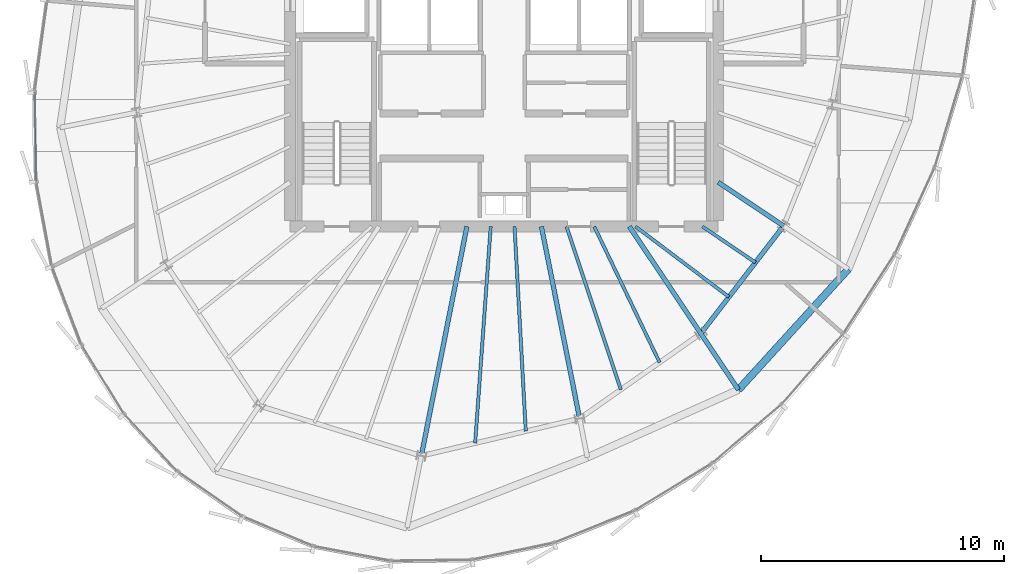
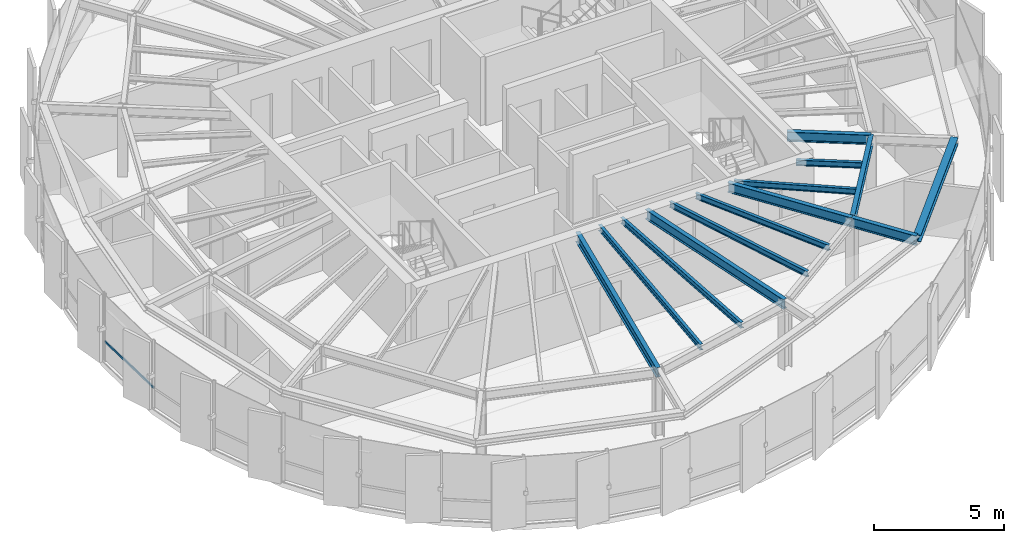
# One storey, part 9 of 32: 13 beams, 1 member, 1 element without a shape of its own.
"""IFC4 building model written with IfcOpenShell, lengths in metres."""

from ifc_helpers import new_model, si_unit, direction, frame, origin, origin_2d, place, context, subcontext, project, spatial, hollow_rectangle, i_section, extrude, source, transform, mapped, material, layer, layer_set, material_profile, profile_set, type_object, element, aggregate, save


model = new_model("IFC4")

# Units and contexts
model_context = context("Model", 3, precision=1e-05, world=origin(), true_north=direction((0.0, 1.0)))
body_context = subcontext(model_context, "Body", "Model", "MODEL_VIEW")
ifc_project = project(units=[si_unit("LENGTHUNIT", "METRE"), si_unit("AREAUNIT", "SQUARE_METRE"), si_unit("VOLUMEUNIT", "CUBIC_METRE"), si_unit("PLANEANGLEUNIT", "RADIAN"), si_unit("MASSUNIT", "GRAM", prefix="KILO"), si_unit("THERMODYNAMICTEMPERATUREUNIT", "KELVIN")], contexts=[model_context])

# Site, building, storey
site_placement = place(None, origin())
site = spatial("IfcSite", under=ifc_project, at=site_placement, CompositionType="ELEMENT")
building_placement = place(site_placement, origin())
building = spatial("IfcBuilding", under=site, at=building_placement, Name="Kethvar Cultural Tower", CompositionType="ELEMENT")
storey_placement = place(building_placement, frame((0.0, 0.0, 280.14990234375)))
storey = spatial("IfcBuildingStorey", under=building, at=storey_placement, Name="L74", CompositionType="ELEMENT", Elevation=280.14990234375)

# Beams
ifc_material_1 = material(Name="Steel S355J2", Category="steel")
ifc_material_profile_1 = material_profile(ifc_material_1, i_section(OverallWidth=0.18994140625, OverallDepth=0.449951171875, WebThickness=0.009521484375, FlangeThickness=0.0146484375, FilletRadius=0.02099609375, at=origin_2d()), Name="Steel S355J2 — IPE450")
ifc_profile_set_1 = profile_set([ifc_material_profile_1], Name="Steel S355J2 — IPE450")
beam_type_1 = type_object("IfcBeamType", Name="BM-IPE450", PredefinedType="BEAM", material=ifc_profile_set_1)
shared_shape_1 = source(origin(), body_context, "Body", "SweptSolid", [
    extrude(i_section(OverallWidth=0.18994140625, OverallDepth=0.449951171875, WebThickness=0.009521484375, FlangeThickness=0.0146484375, FilletRadius=0.02099609375, at=origin_2d()), origin(), (0.0, 0.0, 1.0), 9.613525390625),
])
beam_1_placement = place(storey_placement, frame((45.268310546875, 20.10009765625, 2.983154296875), z_axis=(-0.195090428816, -0.980785259159, 0.0), x_axis=(0.980785259159, -0.195090428816, 0.0)))
element("IfcBeam", 1, at=beam_1_placement, inside=storey, type_object=beam_type_1, Name="L74 Primary Radial Beam RB-12", PredefinedType="BEAM", context=body_context, shape_type="MappedRepresentation", body=[
    mapped(shared_shape_1, transform((0.0, 0.0, 0.0), scale=1.0)),
])
shared_shape_2 = source(origin(), body_context, "Body", "SweptSolid", [
    extrude(i_section(OverallWidth=0.18994140625, OverallDepth=0.449951171875, WebThickness=0.009521484375, FlangeThickness=0.0146484375, FilletRadius=0.02099609375, at=origin_2d()), origin(), (0.0, 0.0, 1.0), 8.0478515625),
])
beam_2_placement = place(storey_placement, frame((48.33154296875, 20.10009765625, 2.983154296875), z_axis=(0.195089278796, -0.980785487912, 0.0), x_axis=(0.980785487912, 0.195089278796, 0.0)))
element("IfcBeam", 2, at=beam_2_placement, inside=storey, type_object=beam_type_1, Name="L74 Primary Radial Beam RB-13", PredefinedType="BEAM", context=body_context, shape_type="MappedRepresentation", body=[
    mapped(shared_shape_2, transform((0.0, 0.0, 0.0), scale=1.0)),
])
shared_shape_3 = source(origin(), body_context, "Body", "SweptSolid", [
    extrude(i_section(OverallWidth=0.18994140625, OverallDepth=0.449951171875, WebThickness=0.009521484375, FlangeThickness=0.0146484375, FilletRadius=0.02099609375, at=origin_2d()), origin(), (0.0, 0.0, 1.0), 5.291748046875),
])
beam_3_placement = place(storey_placement, frame((51.945068359375, 20.10009765625, 2.983154296875), z_axis=(0.555572931011, -0.831467809556, 0.0), x_axis=(0.831467809556, 0.555572931011, 0.0)))
element("IfcBeam", 3, at=beam_3_placement, inside=storey, type_object=beam_type_1, Name="L74 Primary Radial Beam RB-14", PredefinedType="BEAM", context=body_context, shape_type="MappedRepresentation", body=[
    mapped(shared_shape_3, transform((0.0, 0.0, 0.0), scale=1.0)),
])
shared_shape_4 = source(origin(), body_context, "Body", "SweptSolid", [
    extrude(i_section(OverallWidth=0.18994140625, OverallDepth=0.449951171875, WebThickness=0.009521484375, FlangeThickness=0.0146484375, FilletRadius=0.02099609375, at=origin_2d()), origin(), (0.0, 0.0, 1.0), 3.231689453125),
])
beam_4_placement = place(storey_placement, frame((55.60009765625, 21.919921875, 2.983154296875), z_axis=(0.831468708055, -0.55557158632, 0.0), x_axis=(0.55557158632, 0.831468708055, 0.0)))
element("IfcBeam", 4, at=beam_4_placement, inside=storey, type_object=beam_type_1, Name="L74 Primary Radial Beam RB-15", PredefinedType="BEAM", context=body_context, shape_type="MappedRepresentation", body=[
    mapped(shared_shape_4, transform((0.0, 0.0, 0.0), scale=1.0)),
])
ifc_material_profile_2 = material_profile(ifc_material_1, i_section(OverallWidth=0.135009765625, OverallDepth=0.27001953125, WebThickness=0.006591796875, FlangeThickness=0.01025390625, FilletRadius=0.014892578125, at=origin_2d()), Name="Steel S355J2 — IPE270")
ifc_profile_set_2 = profile_set([ifc_material_profile_2], Name="Steel S355J2 — IPE270")
beam_type_2 = type_object("IfcBeamType", Name="BM-J270", PredefinedType="JOIST", material=ifc_profile_set_2)
shared_shape_5 = source(origin(), body_context, "Body", "SweptSolid", [
    extrude(i_section(OverallWidth=0.135009765625, OverallDepth=0.27001953125, WebThickness=0.006591796875, FlangeThickness=0.01025390625, FilletRadius=0.014892578125, at=origin_2d()), origin(), (0.0, 0.0, 1.0), 8.9296875),
])
beam_5_placement = place(storey_placement, frame((46.246337890625, 20.10009765625, 3.072998046875), z_axis=(-0.071713352262, -0.99742528297, 0.0), x_axis=(0.99742528297, -0.071713352262, 0.0)))
element("IfcBeam", 5, at=beam_5_placement, inside=storey, type_object=beam_type_2, Name="L74 Composite Floor Joist J-12A", PredefinedType="JOIST", context=body_context, shape_type="MappedRepresentation", body=[
    mapped(shared_shape_5, transform((0.0, 0.0, 0.0), scale=1.0)),
])
shared_shape_6 = source(origin(), body_context, "Body", "SweptSolid", [
    extrude(i_section(OverallWidth=0.135009765625, OverallDepth=0.27001953125, WebThickness=0.006591796875, FlangeThickness=0.01025390625, FilletRadius=0.014892578125, at=origin_2d()), origin(), (0.0, 0.0, 1.0), 8.427978515625),
])
beam_6_placement = place(storey_placement, frame((47.224609375, 20.10009765625, 3.072998046875), z_axis=(0.055067321535, -0.998482643865, 0.0), x_axis=(0.998482643865, 0.055067321535, 0.0)))
element("IfcBeam", 6, at=beam_6_placement, inside=storey, type_object=beam_type_2, Name="L74 Composite Floor Joist J-12B", PredefinedType="JOIST", context=body_context, shape_type="MappedRepresentation", body=[
    mapped(shared_shape_6, transform((0.0, 0.0, 0.0), scale=1.0)),
])
shared_shape_7 = source(origin(), body_context, "Body", "SweptSolid", [
    extrude(i_section(OverallWidth=0.135009765625, OverallDepth=0.27001953125, WebThickness=0.006591796875, FlangeThickness=0.01025390625, FilletRadius=0.014892578125, at=origin_2d()), origin(), (0.0, 0.0, 1.0), 7.0673828125),
])
beam_7_placement = place(storey_placement, frame((49.363525390625, 20.10009765625, 3.072998046875), z_axis=(0.315875389768, -0.948800684095, 0.0), x_axis=(0.948800684095, 0.315875389768, 0.0)))
element("IfcBeam", 7, at=beam_7_placement, inside=storey, type_object=beam_type_2, Name="L74 Composite Floor Joist J-13A", PredefinedType="JOIST", context=body_context, shape_type="MappedRepresentation", body=[
    mapped(shared_shape_7, transform((0.0, 0.0, 0.0), scale=1.0)),
])
shared_shape_8 = source(origin(), body_context, "Body", "SweptSolid", [
    extrude(i_section(OverallWidth=0.135009765625, OverallDepth=0.27001953125, WebThickness=0.006591796875, FlangeThickness=0.01025390625, FilletRadius=0.014892578125, at=origin_2d()), origin(), (0.0, 0.0, 1.0), 6.2001953125),
])
beam_8_placement = place(storey_placement, frame((50.50341796875, 20.10009765625, 3.072998046875), z_axis=(0.433410678328, -0.901196529017, 0.0), x_axis=(0.901196529017, 0.433410678328, 0.0)))
element("IfcBeam", 8, at=beam_8_placement, inside=storey, type_object=beam_type_2, Name="L74 Composite Floor Joist J-13B", PredefinedType="JOIST", context=body_context, shape_type="MappedRepresentation", body=[
    mapped(shared_shape_8, transform((0.0, 0.0, 0.0), scale=1.0)),
])
shared_shape_9 = source(origin(), body_context, "Body", "SweptSolid", [
    extrude(i_section(OverallWidth=0.18994140625, OverallDepth=0.449951171875, WebThickness=0.009521484375, FlangeThickness=0.0146484375, FilletRadius=0.02099609375, at=origin_2d()), origin(), (0.0, 0.0, 1.0), 5.5810546875),
])
beam_9_placement = place(storey_placement, frame((54.885009765625, 15.7001953125, 2.983154296875), z_axis=(0.60957334008, 0.79272967843, 0.0), x_axis=(-0.79272967843, 0.60957334008, 0.0)))
element("IfcBeam", 9, at=beam_9_placement, inside=storey, type_object=beam_type_1, Name="L74 Column Ring Tie Beam CR-14", PredefinedType="BEAM", context=body_context, shape_type="MappedRepresentation", body=[
    mapped(shared_shape_9, transform((0.0, 0.0, 0.0), scale=1.0)),
])
shared_shape_10 = source(origin(), body_context, "Body", "SweptSolid", [
    extrude(i_section(OverallWidth=0.135009765625, OverallDepth=0.27001953125, WebThickness=0.006591796875, FlangeThickness=0.01025390625, FilletRadius=0.014892578125, at=origin_2d()), origin(), (0.0, 0.0, 1.0), 4.810791015625),
])
beam_10_placement = place(storey_placement, frame((52.199951171875, 20.10009765625, 3.072998046875), z_axis=(0.798542152732, -0.601938892505, 0.0), x_axis=(0.601938892505, 0.798542152732, 0.0)))
element("IfcBeam", 10, at=beam_10_placement, inside=storey, type_object=beam_type_2, Name="L74 Composite Floor Joist J-14A", PredefinedType="JOIST", context=body_context, shape_type="MappedRepresentation", body=[
    mapped(shared_shape_10, transform((0.0, 0.0, 0.0), scale=1.0)),
])
shared_shape_11 = source(origin(), body_context, "Body", "SweptSolid", [
    extrude(i_section(OverallWidth=0.135009765625, OverallDepth=0.27001953125, WebThickness=0.006591796875, FlangeThickness=0.01025390625, FilletRadius=0.014892578125, at=origin_2d()), origin(), (0.0, 0.0, 1.0), 2.635009765625),
])
beam_11_placement = place(storey_placement, frame((54.949951171875, 20.10009765625, 3.072998046875), z_axis=(0.827446562598, -0.561544464887, 0.0), x_axis=(0.561544464887, 0.827446562598, 0.0)))
element("IfcBeam", 11, at=beam_11_placement, inside=storey, type_object=beam_type_2, Name="L74 Composite Floor Joist J-14B", PredefinedType="JOIST", context=body_context, shape_type="MappedRepresentation", body=[
    mapped(shared_shape_11, transform((0.0, 0.0, 0.0), scale=1.0)),
])
shared_shape_12 = source(origin(), body_context, "Body", "SweptSolid", [
    extrude(i_section(OverallWidth=0.18994140625, OverallDepth=0.449951171875, WebThickness=0.009521484375, FlangeThickness=0.0146484375, FilletRadius=0.02099609375, at=origin_2d()), origin(), (0.0, 0.0, 1.0), 2.78173828125),
])
beam_12_placement = place(storey_placement, frame((54.885009765625, 15.7001953125, 2.983154296875), z_axis=(0.555550548815, -0.83148276453, 0.0), x_axis=(0.83148276453, 0.555550548815, 0.0)))
element("IfcBeam", 12, at=beam_12_placement, inside=storey, type_object=beam_type_1, Name="L74 Perimeter Cantilever Beam RC-14", PredefinedType="BEAM", context=body_context, shape_type="MappedRepresentation", body=[
    mapped(shared_shape_12, transform((0.0, 0.0, 0.0), scale=1.0)),
])
ifc_material_profile_3 = material_profile(ifc_material_1, i_section(OverallWidth=0.300048828125, OverallDepth=0.320068359375, WebThickness=0.011474609375, FlangeThickness=0.0205078125, FilletRadius=0.027099609375, at=origin_2d()), Name="Steel S355J2 — HEB320")
ifc_profile_set_3 = profile_set([ifc_material_profile_3], Name="Steel S355J2 — HEB320")
beam_type_3 = type_object("IfcBeamType", Name="BM-SP320", PredefinedType="SPANDREL", material=ifc_profile_set_3)
shared_shape_13 = source(origin(), body_context, "Body", "SweptSolid", [
    extrude(i_section(OverallWidth=0.300048828125, OverallDepth=0.320068359375, WebThickness=0.011474609375, FlangeThickness=0.0205078125, FilletRadius=0.027099609375, at=origin_2d()), origin(), (0.0, 0.0, 1.0), 6.70849609375),
])
beam_13_placement = place(storey_placement, frame((56.430419921875, 13.38720703125, 3.048095703125), z_axis=(0.673384374241, 0.739292556792, 0.0), x_axis=(-0.739292556792, 0.673384374241, 0.0)))
element("IfcBeam", 13, at=beam_13_placement, inside=storey, type_object=beam_type_3, Name="L74 Perimeter Spandrel Beam SP-14", PredefinedType="SPANDREL", context=body_context, shape_type="MappedRepresentation", body=[
    mapped(shared_shape_13, transform((0.0, 0.0, 0.0), scale=1.0)),
])

# Curtain wall, member
ifc_material_2 = material(Name="Aluminium 6063-T6", Category="aluminium")
ifc_layer = layer(ifc_material_2, 0.179931640625, Name="Aluminium 6063-T6", Category="aluminium")
ifc_layer_set = layer_set([ifc_layer], Name="Aluminium 6063-T6 (180 mm)")
curtain_wall_type = type_object("IfcCurtainWallType", Name="CW-SYS-05-Z56", PredefinedType="NOTDEFINED", material=ifc_layer_set)
curtain_wall_placement = place(storey_placement, origin())
curtain_wall = element("IfcCurtainWall", 14, at=curtain_wall_placement, inside=storey, type_object=curtain_wall_type, Name="L74 Curtain Wall Run 03", PredefinedType="NOTDEFINED")
ifc_material_profile_4 = material_profile(ifc_material_2, hollow_rectangle(XDim=0.050048828125, YDim=0.10009765625, WallThickness=0.00390625, at=origin_2d()), Name="Aluminium 6063-T6 — RHS100x50x4")
ifc_profile_set_4 = profile_set([ifc_material_profile_4], Name="Aluminium 6063-T6 — RHS100x50x4")
member_type = type_object("IfcMemberType", Name="CW-SYS-05-Z56-TRN", PredefinedType="USERDEFINED", material=ifc_profile_set_4)
shared_shape_14 = source(origin(), body_context, "Body", "SweptSolid", [
    extrude(hollow_rectangle(XDim=0.050048828125, YDim=0.10009765625, WallThickness=0.00390625, at=origin_2d()), origin(), (0.0, 0.0, 1.0), 3.622314453125),
])
member_placement = place(storey_placement, frame((27.498046875, 25.600830078125, 0.9501953125), z_axis=(0.018467929769, -0.999829453242, 0.0), x_axis=(0.999829453242, 0.018467929769, 0.0)))
member = element("IfcMember", 15, at=member_placement, type_object=member_type, Name="CW-L74-R03 Transom 1", ObjectType="TRANSOM", PredefinedType="USERDEFINED", context=body_context, shape_type="MappedRepresentation", body=[
    mapped(shared_shape_14, transform((0.0, 0.0, 0.0), scale=1.0)),
])
aggregate(curtain_wall, [member])

save(model, "model.ifc")
